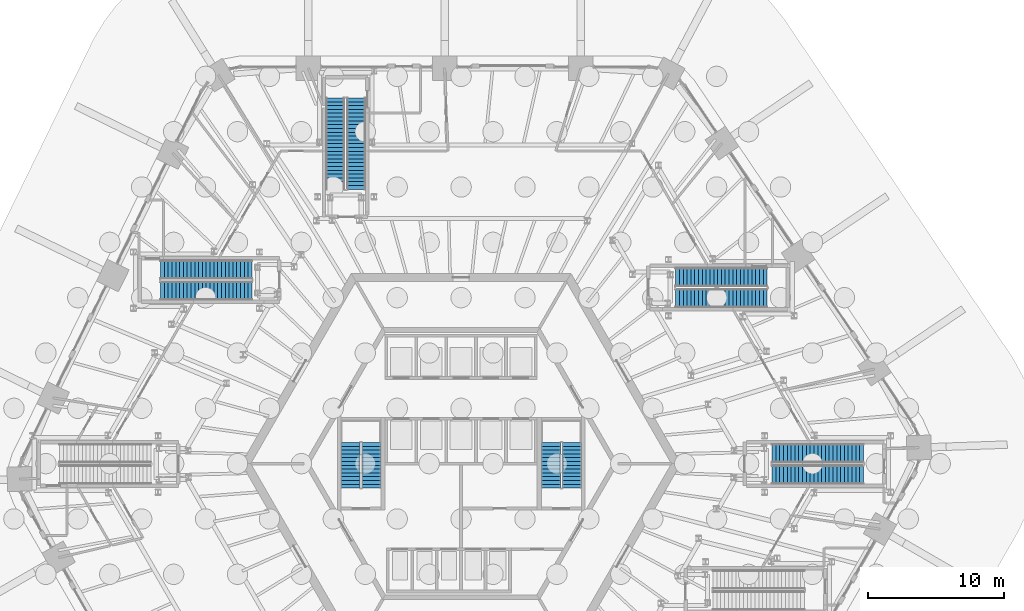
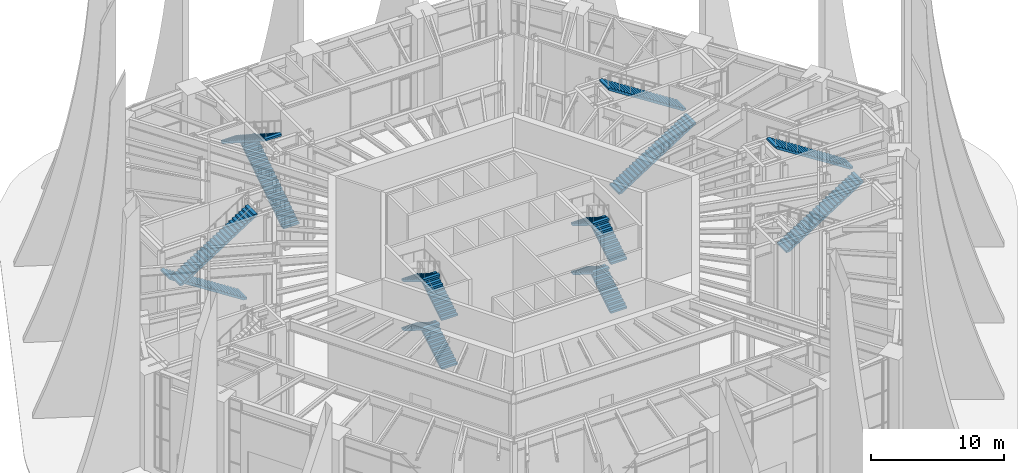
# One storey, part 31 of 43: 16 stair flights, 6 elements without a shape of their own.
"""IFC4 building model written with IfcOpenShell, lengths in metres."""

from ifc_helpers import new_model, si_unit, direction, frame, origin, place, context, subcontext, project, spatial, polyline, outline, extrude, material, type_object, element, aggregate, save


model = new_model("IFC4")

# Units and contexts
model_context = context("Model", 3, precision=1e-05, world=origin(), true_north=direction((0.0, 1.0)))
body_context = subcontext(model_context, "Body", "Model", "MODEL_VIEW")
ifc_project = project(units=[si_unit("LENGTHUNIT", "METRE"), si_unit("AREAUNIT", "SQUARE_METRE"), si_unit("VOLUMEUNIT", "CUBIC_METRE"), si_unit("PLANEANGLEUNIT", "RADIAN"), si_unit("MASSUNIT", "GRAM", prefix="KILO")], contexts=[model_context])

# Site, building, storey
site_placement = place(None, origin())
site = spatial("IfcSite", under=ifc_project, at=site_placement, CompositionType="ELEMENT")
building_placement = place(site_placement, origin())
building = spatial("IfcBuilding", under=site, at=building_placement, Name="Tarnside Tower", CompositionType="ELEMENT")
storey_placement = place(building_placement, origin())
storey = spatial("IfcBuildingStorey", under=building, at=storey_placement, Name="L00", CompositionType="ELEMENT", Elevation=0.0)

# Stair, stair flights
ifc_material = material(Name="Concrete C40/50", Category="concrete")
stair_type_1 = type_object("IfcStairType", Name="Exit stair 1400 clear", PredefinedType="HALF_TURN_STAIR", material=ifc_material)
stair_1_placement = place(storey_placement, origin())
stair_1 = element("IfcStair", 1, at=stair_1_placement, inside=storey, type_object=stair_type_1, Name="L00 Exit stair 1", PredefinedType="HALF_TURN_STAIR")
stair_flight_type_1 = type_object("IfcStairFlightType", Name="Exit stair flight 1400", PredefinedType="STRAIGHT", material=ifc_material)
stair_flight_1_placement = place(storey_placement, frame((8.14990234375, -1.800048828125, 0.0), z_axis=(0.0, 0.0, 1.0), x_axis=(0.0, 1.0, 0.0)))
stair_flight_1 = element("IfcStairFlight", 2, at=stair_flight_1_placement, type_object=stair_flight_type_1, Name="ST1 flight 1", NumberOfRisers=13, NumberOfTreads=12, PredefinedType="STRAIGHT", RiserHeight=0.173076923, TreadLength=0.28, context=body_context, shape_type="SweptSolid", body=[
    extrude(outline(polyline([(0.0, 0.0), (0.0, 0.173095703125), (0.280029296875, 0.173095703125), (0.280029296875, 0.34619140625), (0.56005859375, 0.34619140625), (0.56005859375, 0.519287109375), (0.840087890625, 0.519287109375), (0.840087890625, 0.6923828125), (1.1201171875, 0.6923828125), (1.1201171875, 0.865478515625), (1.39990234375, 0.865478515625), (1.39990234375, 1.03857421875), (1.679931640625, 1.03857421875), (1.679931640625, 1.21142578125), (1.9599609375, 1.21142578125), (1.9599609375, 1.384521484375), (2.239990234375, 1.384521484375), (2.239990234375, 1.5576171875), (2.52001953125, 1.5576171875), (2.52001953125, 1.730712890625), (2.800048828125, 1.730712890625), (2.800048828125, 1.90380859375), (3.080078125, 1.90380859375), (3.080078125, 2.076904296875), (3.360107421875, 2.076904296875), (3.360107421875, 2.25), (3.360107421875, 1.900634765625), (0.28515625, 0.0), (0.0, 0.0)])), frame((0.0, 0.699951171875, 0.0), z_axis=(0.0, -1.0, 0.0), x_axis=(1.0, 0.0, 0.0)), (0.0, 0.0, 1.0), 1.39990234375),
])
stair_flight_2_placement = place(storey_placement, frame((6.60009765625, 1.56005859375, 2.25), z_axis=(0.0, 0.0, 1.0), x_axis=(0.0, -1.0, 0.0)))
stair_flight_2 = element("IfcStairFlight", 3, at=stair_flight_2_placement, type_object=stair_flight_type_1, Name="ST1 flight 2", NumberOfRisers=13, NumberOfTreads=12, PredefinedType="STRAIGHT", RiserHeight=0.173076923, TreadLength=0.28, context=body_context, shape_type="SweptSolid", body=[
    extrude(outline(polyline([(0.0, 0.0), (0.0, 0.173095703125), (0.280029296875, 0.173095703125), (0.280029296875, 0.34619140625), (0.56005859375, 0.34619140625), (0.56005859375, 0.519287109375), (0.840087890625, 0.519287109375), (0.840087890625, 0.6923828125), (1.1201171875, 0.6923828125), (1.1201171875, 0.865478515625), (1.39990234375, 0.865478515625), (1.39990234375, 1.03857421875), (1.679931640625, 1.03857421875), (1.679931640625, 1.21142578125), (1.9599609375, 1.21142578125), (1.9599609375, 1.384521484375), (2.239990234375, 1.384521484375), (2.239990234375, 1.5576171875), (2.52001953125, 1.5576171875), (2.52001953125, 1.730712890625), (2.800048828125, 1.730712890625), (2.800048828125, 1.90380859375), (3.080078125, 1.90380859375), (3.080078125, 2.076904296875), (3.360107421875, 2.076904296875), (3.360107421875, 2.25), (3.360107421875, 1.900634765625), (0.28515625, 0.0), (0.0, 0.0)])), frame((0.0, 0.699951171875, 0.0), z_axis=(0.0, -1.0, 0.0), x_axis=(1.0, 0.0, 0.0)), (0.0, 0.0, 1.0), 1.39990234375),
])
stair_flight_3_placement = place(storey_placement, frame((8.14990234375, -1.800048828125, 4.5), z_axis=(0.0, 0.0, 1.0), x_axis=(0.0, 1.0, 0.0)))
stair_flight_3 = element("IfcStairFlight", 4, at=stair_flight_3_placement, type_object=stair_flight_type_1, Name="ST1 flight 3", NumberOfRisers=13, NumberOfTreads=12, PredefinedType="STRAIGHT", RiserHeight=0.173076923, TreadLength=0.28, context=body_context, shape_type="SweptSolid", body=[
    extrude(outline(polyline([(0.0, 0.0), (0.0, 0.173095703125), (0.280029296875, 0.173095703125), (0.280029296875, 0.34619140625), (0.56005859375, 0.34619140625), (0.56005859375, 0.519287109375), (0.840087890625, 0.519287109375), (0.840087890625, 0.6923828125), (1.1201171875, 0.6923828125), (1.1201171875, 0.865478515625), (1.39990234375, 0.865478515625), (1.39990234375, 1.03857421875), (1.679931640625, 1.03857421875), (1.679931640625, 1.21142578125), (1.9599609375, 1.21142578125), (1.9599609375, 1.384521484375), (2.239990234375, 1.384521484375), (2.239990234375, 1.5576171875), (2.52001953125, 1.5576171875), (2.52001953125, 1.730712890625), (2.800048828125, 1.730712890625), (2.800048828125, 1.90380859375), (3.080078125, 1.90380859375), (3.080078125, 2.076904296875), (3.360107421875, 2.076904296875), (3.360107421875, 2.25), (3.360107421875, 1.900634765625), (0.28515625, 0.0), (0.0, 0.0)])), frame((0.0, 0.699951171875, 0.0), z_axis=(0.0, -1.0, 0.0), x_axis=(1.0, 0.0, 0.0)), (0.0, 0.0, 1.0), 1.39990234375),
])
stair_flight_4_placement = place(storey_placement, frame((6.60009765625, 1.56005859375, 6.75), z_axis=(0.0, 0.0, 1.0), x_axis=(0.0, -1.0, 0.0)))
stair_flight_4 = element("IfcStairFlight", 5, at=stair_flight_4_placement, type_object=stair_flight_type_1, Name="ST1 flight 4", NumberOfRisers=13, NumberOfTreads=12, PredefinedType="STRAIGHT", RiserHeight=0.173076923, TreadLength=0.28, context=body_context, shape_type="SweptSolid", body=[
    extrude(outline(polyline([(0.0, 0.0), (0.0, 0.173095703125), (0.280029296875, 0.173095703125), (0.280029296875, 0.34619140625), (0.56005859375, 0.34619140625), (0.56005859375, 0.519287109375), (0.840087890625, 0.519287109375), (0.840087890625, 0.6923828125), (1.1201171875, 0.6923828125), (1.1201171875, 0.865478515625), (1.39990234375, 0.865478515625), (1.39990234375, 1.03857421875), (1.679931640625, 1.03857421875), (1.679931640625, 1.21142578125), (1.9599609375, 1.21142578125), (1.9599609375, 1.384521484375), (2.239990234375, 1.384521484375), (2.239990234375, 1.5576171875), (2.52001953125, 1.5576171875), (2.52001953125, 1.730712890625), (2.800048828125, 1.730712890625), (2.800048828125, 1.90380859375), (3.080078125, 1.90380859375), (3.080078125, 2.076904296875), (3.360107421875, 2.076904296875), (3.360107421875, 2.25), (3.360107421875, 1.900634765625), (0.28515625, 0.0), (0.0, 0.0)])), frame((0.0, 0.699951171875, 0.0), z_axis=(0.0, -1.0, 0.0), x_axis=(1.0, 0.0, 0.0)), (0.0, 0.0, 1.0), 1.39990234375),
])
aggregate(stair_1, [stair_flight_1, stair_flight_2, stair_flight_3, stair_flight_4])

stair_2_placement = place(storey_placement, origin())
stair_2 = element("IfcStair", 6, at=stair_2_placement, inside=storey, type_object=stair_type_1, Name="L00 Exit stair 2", PredefinedType="HALF_TURN_STAIR")
stair_flight_5_placement = place(storey_placement, frame((-6.60009765625, -1.800048828125, 0.0), z_axis=(0.0, 0.0, 1.0), x_axis=(0.0, 1.0, 0.0)))
stair_flight_5 = element("IfcStairFlight", 7, at=stair_flight_5_placement, type_object=stair_flight_type_1, Name="ST2 flight 1", NumberOfRisers=13, NumberOfTreads=12, PredefinedType="STRAIGHT", RiserHeight=0.173076923, TreadLength=0.28, context=body_context, shape_type="SweptSolid", body=[
    extrude(outline(polyline([(0.0, 0.0), (0.0, 0.173095703125), (0.280029296875, 0.173095703125), (0.280029296875, 0.34619140625), (0.56005859375, 0.34619140625), (0.56005859375, 0.519287109375), (0.840087890625, 0.519287109375), (0.840087890625, 0.6923828125), (1.1201171875, 0.6923828125), (1.1201171875, 0.865478515625), (1.39990234375, 0.865478515625), (1.39990234375, 1.03857421875), (1.679931640625, 1.03857421875), (1.679931640625, 1.21142578125), (1.9599609375, 1.21142578125), (1.9599609375, 1.384521484375), (2.239990234375, 1.384521484375), (2.239990234375, 1.5576171875), (2.52001953125, 1.5576171875), (2.52001953125, 1.730712890625), (2.800048828125, 1.730712890625), (2.800048828125, 1.90380859375), (3.080078125, 1.90380859375), (3.080078125, 2.076904296875), (3.360107421875, 2.076904296875), (3.360107421875, 2.25), (3.360107421875, 1.900634765625), (0.28515625, 0.0), (0.0, 0.0)])), frame((0.0, 0.699951171875, 0.0), z_axis=(0.0, -1.0, 0.0), x_axis=(1.0, 0.0, 0.0)), (0.0, 0.0, 1.0), 1.39990234375),
])
stair_flight_6_placement = place(storey_placement, frame((-8.14990234375, 1.56005859375, 2.25), z_axis=(0.0, 0.0, 1.0), x_axis=(0.0, -1.0, 0.0)))
stair_flight_6 = element("IfcStairFlight", 8, at=stair_flight_6_placement, type_object=stair_flight_type_1, Name="ST2 flight 2", NumberOfRisers=13, NumberOfTreads=12, PredefinedType="STRAIGHT", RiserHeight=0.173076923, TreadLength=0.28, context=body_context, shape_type="SweptSolid", body=[
    extrude(outline(polyline([(0.0, 0.0), (0.0, 0.173095703125), (0.280029296875, 0.173095703125), (0.280029296875, 0.34619140625), (0.56005859375, 0.34619140625), (0.56005859375, 0.519287109375), (0.840087890625, 0.519287109375), (0.840087890625, 0.6923828125), (1.1201171875, 0.6923828125), (1.1201171875, 0.865478515625), (1.39990234375, 0.865478515625), (1.39990234375, 1.03857421875), (1.679931640625, 1.03857421875), (1.679931640625, 1.21142578125), (1.9599609375, 1.21142578125), (1.9599609375, 1.384521484375), (2.239990234375, 1.384521484375), (2.239990234375, 1.5576171875), (2.52001953125, 1.5576171875), (2.52001953125, 1.730712890625), (2.800048828125, 1.730712890625), (2.800048828125, 1.90380859375), (3.080078125, 1.90380859375), (3.080078125, 2.076904296875), (3.360107421875, 2.076904296875), (3.360107421875, 2.25), (3.360107421875, 1.900634765625), (0.28515625, 0.0), (0.0, 0.0)])), frame((0.0, 0.699951171875, 0.0), z_axis=(0.0, -1.0, 0.0), x_axis=(1.0, 0.0, 0.0)), (0.0, 0.0, 1.0), 1.39990234375),
])
stair_flight_7_placement = place(storey_placement, frame((-6.60009765625, -1.800048828125, 4.5), z_axis=(0.0, 0.0, 1.0), x_axis=(0.0, 1.0, 0.0)))
stair_flight_7 = element("IfcStairFlight", 9, at=stair_flight_7_placement, type_object=stair_flight_type_1, Name="ST2 flight 3", NumberOfRisers=13, NumberOfTreads=12, PredefinedType="STRAIGHT", RiserHeight=0.173076923, TreadLength=0.28, context=body_context, shape_type="SweptSolid", body=[
    extrude(outline(polyline([(0.0, 0.0), (0.0, 0.173095703125), (0.280029296875, 0.173095703125), (0.280029296875, 0.34619140625), (0.56005859375, 0.34619140625), (0.56005859375, 0.519287109375), (0.840087890625, 0.519287109375), (0.840087890625, 0.6923828125), (1.1201171875, 0.6923828125), (1.1201171875, 0.865478515625), (1.39990234375, 0.865478515625), (1.39990234375, 1.03857421875), (1.679931640625, 1.03857421875), (1.679931640625, 1.21142578125), (1.9599609375, 1.21142578125), (1.9599609375, 1.384521484375), (2.239990234375, 1.384521484375), (2.239990234375, 1.5576171875), (2.52001953125, 1.5576171875), (2.52001953125, 1.730712890625), (2.800048828125, 1.730712890625), (2.800048828125, 1.90380859375), (3.080078125, 1.90380859375), (3.080078125, 2.076904296875), (3.360107421875, 2.076904296875), (3.360107421875, 2.25), (3.360107421875, 1.900634765625), (0.28515625, 0.0), (0.0, 0.0)])), frame((0.0, 0.699951171875, 0.0), z_axis=(0.0, -1.0, 0.0), x_axis=(1.0, 0.0, 0.0)), (0.0, 0.0, 1.0), 1.39990234375),
])
stair_flight_8_placement = place(storey_placement, frame((-8.14990234375, 1.56005859375, 6.75), z_axis=(0.0, 0.0, 1.0), x_axis=(0.0, -1.0, 0.0)))
stair_flight_8 = element("IfcStairFlight", 10, at=stair_flight_8_placement, type_object=stair_flight_type_1, Name="ST2 flight 4", NumberOfRisers=13, NumberOfTreads=12, PredefinedType="STRAIGHT", RiserHeight=0.173076923, TreadLength=0.28, context=body_context, shape_type="SweptSolid", body=[
    extrude(outline(polyline([(0.0, 0.0), (0.0, 0.173095703125), (0.280029296875, 0.173095703125), (0.280029296875, 0.34619140625), (0.56005859375, 0.34619140625), (0.56005859375, 0.519287109375), (0.840087890625, 0.519287109375), (0.840087890625, 0.6923828125), (1.1201171875, 0.6923828125), (1.1201171875, 0.865478515625), (1.39990234375, 0.865478515625), (1.39990234375, 1.03857421875), (1.679931640625, 1.03857421875), (1.679931640625, 1.21142578125), (1.9599609375, 1.21142578125), (1.9599609375, 1.384521484375), (2.239990234375, 1.384521484375), (2.239990234375, 1.5576171875), (2.52001953125, 1.5576171875), (2.52001953125, 1.730712890625), (2.800048828125, 1.730712890625), (2.800048828125, 1.90380859375), (3.080078125, 1.90380859375), (3.080078125, 2.076904296875), (3.360107421875, 2.076904296875), (3.360107421875, 2.25), (3.360107421875, 1.900634765625), (0.28515625, 0.0), (0.0, 0.0)])), frame((0.0, 0.699951171875, 0.0), z_axis=(0.0, -1.0, 0.0), x_axis=(1.0, 0.0, 0.0)), (0.0, 0.0, 1.0), 1.39990234375),
])
aggregate(stair_2, [stair_flight_5, stair_flight_6, stair_flight_7, stair_flight_8])

stair_type_2 = type_object("IfcStairType", Name="Podium exit stair 1400 clear", PredefinedType="HALF_TURN_STAIR", material=ifc_material)
stair_3_placement = place(storey_placement, origin())
stair_3 = element("IfcStair", 11, at=stair_3_placement, inside=storey, type_object=stair_type_2, Name="L00 Podium exit stair 1", PredefinedType="HALF_TURN_STAIR")
stair_flight_type_2 = type_object("IfcStairFlightType", Name="Podium exit stair flight 1400", PredefinedType="STRAIGHT", material=ifc_material)
stair_flight_9_placement = place(storey_placement, frame((-7.71484375, 20.179931640625, 0.0), z_axis=(0.0, 0.0, 1.0), x_axis=(0.0, 1.0, 0.0)))
stair_flight_9 = element("IfcStairFlight", 12, at=stair_flight_9_placement, type_object=stair_flight_type_2, Name="PS1 flight 1", NumberOfRisers=25, NumberOfTreads=24, PredefinedType="STRAIGHT", RiserHeight=0.18, TreadLength=0.28, context=body_context, shape_type="SweptSolid", body=[
    extrude(outline(polyline([(0.0, 0.0), (0.0, 0.179931640625), (0.280029296875, 0.179931640625), (0.280029296875, 0.360107421875), (0.56005859375, 0.360107421875), (0.56005859375, 0.5400390625), (0.840087890625, 0.5400390625), (0.840087890625, 0.719970703125), (1.1201171875, 0.719970703125), (1.1201171875, 0.89990234375), (1.39990234375, 0.89990234375), (1.39990234375, 1.080078125), (1.679931640625, 1.080078125), (1.679931640625, 1.260009765625), (1.9599609375, 1.260009765625), (1.9599609375, 1.43994140625), (2.239990234375, 1.43994140625), (2.239990234375, 1.6201171875), (2.52001953125, 1.6201171875), (2.52001953125, 1.800048828125), (2.800048828125, 1.800048828125), (2.800048828125, 1.97998046875), (3.080078125, 1.97998046875), (3.080078125, 2.159912109375), (3.360107421875, 2.159912109375), (3.360107421875, 2.340087890625), (3.639892578125, 2.340087890625), (3.639892578125, 2.52001953125), (3.919921875, 2.52001953125), (3.919921875, 2.699951171875), (4.199951171875, 2.699951171875), (4.199951171875, 2.8798828125), (4.47998046875, 2.8798828125), (4.47998046875, 3.06005859375), (4.760009765625, 3.06005859375), (4.760009765625, 3.239990234375), (5.0400390625, 3.239990234375), (5.0400390625, 3.419921875), (5.320068359375, 3.419921875), (5.320068359375, 3.60009765625), (5.60009765625, 3.60009765625), (5.60009765625, 3.780029296875), (5.8798828125, 3.780029296875), (5.8798828125, 3.9599609375), (6.159912109375, 3.9599609375), (6.159912109375, 4.139892578125), (6.43994140625, 4.139892578125), (6.43994140625, 4.320068359375), (6.719970703125, 4.320068359375), (6.719970703125, 4.5), (6.719970703125, 4.141845703125), (0.277099609375, 0.0), (0.0, 0.0)])), frame((0.0, 0.699951171875, 0.0), z_axis=(0.0, -1.0, 0.0), x_axis=(1.0, 0.0, 0.0)), (0.0, 0.0, 1.0), 1.39990234375),
])
stair_flight_10_placement = place(storey_placement, frame((-9.2646484375, 26.89990234375, 4.5), z_axis=(0.0, 0.0, 1.0), x_axis=(0.0, -1.0, 0.0)))
stair_flight_10 = element("IfcStairFlight", 13, at=stair_flight_10_placement, type_object=stair_flight_type_2, Name="PS1 flight 2", NumberOfRisers=25, NumberOfTreads=24, PredefinedType="STRAIGHT", RiserHeight=0.18, TreadLength=0.28, context=body_context, shape_type="SweptSolid", body=[
    extrude(outline(polyline([(0.0, 0.0), (0.0, 0.179931640625), (0.280029296875, 0.179931640625), (0.280029296875, 0.360107421875), (0.56005859375, 0.360107421875), (0.56005859375, 0.5400390625), (0.840087890625, 0.5400390625), (0.840087890625, 0.719970703125), (1.1201171875, 0.719970703125), (1.1201171875, 0.89990234375), (1.39990234375, 0.89990234375), (1.39990234375, 1.080078125), (1.679931640625, 1.080078125), (1.679931640625, 1.260009765625), (1.9599609375, 1.260009765625), (1.9599609375, 1.43994140625), (2.239990234375, 1.43994140625), (2.239990234375, 1.6201171875), (2.52001953125, 1.6201171875), (2.52001953125, 1.800048828125), (2.800048828125, 1.800048828125), (2.800048828125, 1.97998046875), (3.080078125, 1.97998046875), (3.080078125, 2.159912109375), (3.360107421875, 2.159912109375), (3.360107421875, 2.340087890625), (3.639892578125, 2.340087890625), (3.639892578125, 2.52001953125), (3.919921875, 2.52001953125), (3.919921875, 2.699951171875), (4.199951171875, 2.699951171875), (4.199951171875, 2.8798828125), (4.47998046875, 2.8798828125), (4.47998046875, 3.06005859375), (4.760009765625, 3.06005859375), (4.760009765625, 3.239990234375), (5.0400390625, 3.239990234375), (5.0400390625, 3.419921875), (5.320068359375, 3.419921875), (5.320068359375, 3.60009765625), (5.60009765625, 3.60009765625), (5.60009765625, 3.780029296875), (5.8798828125, 3.780029296875), (5.8798828125, 3.9599609375), (6.159912109375, 3.9599609375), (6.159912109375, 4.139892578125), (6.43994140625, 4.139892578125), (6.43994140625, 4.320068359375), (6.719970703125, 4.320068359375), (6.719970703125, 4.5), (6.719970703125, 4.141845703125), (0.277099609375, 0.0), (0.0, 0.0)])), frame((0.0, 0.699951171875, 0.0), z_axis=(0.0, -1.0, 0.0), x_axis=(1.0, 0.0, 0.0)), (0.0, 0.0, 1.0), 1.39990234375),
])
aggregate(stair_3, [stair_flight_9, stair_flight_10])

stair_4_placement = place(storey_placement, origin())
stair_4 = element("IfcStair", 14, at=stair_4_placement, inside=storey, type_object=stair_type_2, Name="L00 Podium exit stair 3", PredefinedType="HALF_TURN_STAIR")
stair_flight_11_placement = place(storey_placement, frame((22.8798828125, -0.800048828125, 0.0), z_axis=(0.0, 0.0, 1.0), x_axis=(1.0, 0.0, 0.0)))
stair_flight_11 = element("IfcStairFlight", 15, at=stair_flight_11_placement, type_object=stair_flight_type_2, Name="PS3 flight 1", NumberOfRisers=25, NumberOfTreads=24, PredefinedType="STRAIGHT", RiserHeight=0.18, TreadLength=0.28, context=body_context, shape_type="SweptSolid", body=[
    extrude(outline(polyline([(0.0, 0.0), (0.0, 0.179931640625), (0.280029296875, 0.179931640625), (0.280029296875, 0.360107421875), (0.56005859375, 0.360107421875), (0.56005859375, 0.5400390625), (0.840087890625, 0.5400390625), (0.840087890625, 0.719970703125), (1.1201171875, 0.719970703125), (1.1201171875, 0.89990234375), (1.39990234375, 0.89990234375), (1.39990234375, 1.080078125), (1.679931640625, 1.080078125), (1.679931640625, 1.260009765625), (1.9599609375, 1.260009765625), (1.9599609375, 1.43994140625), (2.239990234375, 1.43994140625), (2.239990234375, 1.6201171875), (2.52001953125, 1.6201171875), (2.52001953125, 1.800048828125), (2.800048828125, 1.800048828125), (2.800048828125, 1.97998046875), (3.080078125, 1.97998046875), (3.080078125, 2.159912109375), (3.360107421875, 2.159912109375), (3.360107421875, 2.340087890625), (3.639892578125, 2.340087890625), (3.639892578125, 2.52001953125), (3.919921875, 2.52001953125), (3.919921875, 2.699951171875), (4.199951171875, 2.699951171875), (4.199951171875, 2.8798828125), (4.47998046875, 2.8798828125), (4.47998046875, 3.06005859375), (4.760009765625, 3.06005859375), (4.760009765625, 3.239990234375), (5.0400390625, 3.239990234375), (5.0400390625, 3.419921875), (5.320068359375, 3.419921875), (5.320068359375, 3.60009765625), (5.60009765625, 3.60009765625), (5.60009765625, 3.780029296875), (5.8798828125, 3.780029296875), (5.8798828125, 3.9599609375), (6.159912109375, 3.9599609375), (6.159912109375, 4.139892578125), (6.43994140625, 4.139892578125), (6.43994140625, 4.320068359375), (6.719970703125, 4.320068359375), (6.719970703125, 4.5), (6.719970703125, 4.141845703125), (0.277099609375, 0.0), (0.0, 0.0)])), frame((0.0, 0.699951171875, 0.0), z_axis=(0.0, -1.0, 0.0), x_axis=(1.0, 0.0, 0.0)), (0.0, 0.0, 1.0), 1.39990234375),
])
stair_flight_12_placement = place(storey_placement, frame((29.60009765625, 0.75, 4.5), z_axis=(0.0, 0.0, 1.0), x_axis=(-1.0, 0.0, 0.0)))
stair_flight_12 = element("IfcStairFlight", 16, at=stair_flight_12_placement, type_object=stair_flight_type_2, Name="PS3 flight 2", NumberOfRisers=25, NumberOfTreads=24, PredefinedType="STRAIGHT", RiserHeight=0.18, TreadLength=0.28, context=body_context, shape_type="SweptSolid", body=[
    extrude(outline(polyline([(0.0, 0.0), (0.0, 0.179931640625), (0.280029296875, 0.179931640625), (0.280029296875, 0.360107421875), (0.56005859375, 0.360107421875), (0.56005859375, 0.5400390625), (0.840087890625, 0.5400390625), (0.840087890625, 0.719970703125), (1.1201171875, 0.719970703125), (1.1201171875, 0.89990234375), (1.39990234375, 0.89990234375), (1.39990234375, 1.080078125), (1.679931640625, 1.080078125), (1.679931640625, 1.260009765625), (1.9599609375, 1.260009765625), (1.9599609375, 1.43994140625), (2.239990234375, 1.43994140625), (2.239990234375, 1.6201171875), (2.52001953125, 1.6201171875), (2.52001953125, 1.800048828125), (2.800048828125, 1.800048828125), (2.800048828125, 1.97998046875), (3.080078125, 1.97998046875), (3.080078125, 2.159912109375), (3.360107421875, 2.159912109375), (3.360107421875, 2.340087890625), (3.639892578125, 2.340087890625), (3.639892578125, 2.52001953125), (3.919921875, 2.52001953125), (3.919921875, 2.699951171875), (4.199951171875, 2.699951171875), (4.199951171875, 2.8798828125), (4.47998046875, 2.8798828125), (4.47998046875, 3.06005859375), (4.760009765625, 3.06005859375), (4.760009765625, 3.239990234375), (5.0400390625, 3.239990234375), (5.0400390625, 3.419921875), (5.320068359375, 3.419921875), (5.320068359375, 3.60009765625), (5.60009765625, 3.60009765625), (5.60009765625, 3.780029296875), (5.8798828125, 3.780029296875), (5.8798828125, 3.9599609375), (6.159912109375, 3.9599609375), (6.159912109375, 4.139892578125), (6.43994140625, 4.139892578125), (6.43994140625, 4.320068359375), (6.719970703125, 4.320068359375), (6.719970703125, 4.5), (6.719970703125, 4.141845703125), (0.277099609375, 0.0), (0.0, 0.0)])), frame((0.0, 0.699951171875, 0.0), z_axis=(0.0, -1.0, 0.0), x_axis=(1.0, 0.0, 0.0)), (0.0, 0.0, 1.0), 1.39990234375),
])
aggregate(stair_4, [stair_flight_11, stair_flight_12])

stair_5_placement = place(storey_placement, origin())
stair_5 = element("IfcStair", 17, at=stair_5_placement, inside=storey, type_object=stair_type_2, Name="L00 Podium exit stair 4", PredefinedType="HALF_TURN_STAIR")
stair_flight_13_placement = place(storey_placement, frame((15.7900390625, 12.175048828125, 0.0), z_axis=(0.0, 0.0, 1.0), x_axis=(1.0, 0.0, 0.0)))
stair_flight_13 = element("IfcStairFlight", 18, at=stair_flight_13_placement, type_object=stair_flight_type_2, Name="PS4 flight 1", NumberOfRisers=25, NumberOfTreads=24, PredefinedType="STRAIGHT", RiserHeight=0.18, TreadLength=0.28, context=body_context, shape_type="SweptSolid", body=[
    extrude(outline(polyline([(0.0, 0.0), (0.0, 0.179931640625), (0.280029296875, 0.179931640625), (0.280029296875, 0.360107421875), (0.56005859375, 0.360107421875), (0.56005859375, 0.5400390625), (0.840087890625, 0.5400390625), (0.840087890625, 0.719970703125), (1.1201171875, 0.719970703125), (1.1201171875, 0.89990234375), (1.39990234375, 0.89990234375), (1.39990234375, 1.080078125), (1.679931640625, 1.080078125), (1.679931640625, 1.260009765625), (1.9599609375, 1.260009765625), (1.9599609375, 1.43994140625), (2.239990234375, 1.43994140625), (2.239990234375, 1.6201171875), (2.52001953125, 1.6201171875), (2.52001953125, 1.800048828125), (2.800048828125, 1.800048828125), (2.800048828125, 1.97998046875), (3.080078125, 1.97998046875), (3.080078125, 2.159912109375), (3.360107421875, 2.159912109375), (3.360107421875, 2.340087890625), (3.639892578125, 2.340087890625), (3.639892578125, 2.52001953125), (3.919921875, 2.52001953125), (3.919921875, 2.699951171875), (4.199951171875, 2.699951171875), (4.199951171875, 2.8798828125), (4.47998046875, 2.8798828125), (4.47998046875, 3.06005859375), (4.760009765625, 3.06005859375), (4.760009765625, 3.239990234375), (5.0400390625, 3.239990234375), (5.0400390625, 3.419921875), (5.320068359375, 3.419921875), (5.320068359375, 3.60009765625), (5.60009765625, 3.60009765625), (5.60009765625, 3.780029296875), (5.8798828125, 3.780029296875), (5.8798828125, 3.9599609375), (6.159912109375, 3.9599609375), (6.159912109375, 4.139892578125), (6.43994140625, 4.139892578125), (6.43994140625, 4.320068359375), (6.719970703125, 4.320068359375), (6.719970703125, 4.5), (6.719970703125, 4.141845703125), (0.277099609375, 0.0), (0.0, 0.0)])), frame((0.0, 0.699951171875, 0.0), z_axis=(0.0, -1.0, 0.0), x_axis=(1.0, 0.0, 0.0)), (0.0, 0.0, 1.0), 1.39990234375),
])
stair_flight_14_placement = place(storey_placement, frame((22.510009765625, 13.72509765625, 4.5), z_axis=(0.0, 0.0, 1.0), x_axis=(-1.0, 0.0, 0.0)))
stair_flight_14 = element("IfcStairFlight", 19, at=stair_flight_14_placement, type_object=stair_flight_type_2, Name="PS4 flight 2", NumberOfRisers=25, NumberOfTreads=24, PredefinedType="STRAIGHT", RiserHeight=0.18, TreadLength=0.28, context=body_context, shape_type="SweptSolid", body=[
    extrude(outline(polyline([(0.0, 0.0), (0.0, 0.179931640625), (0.280029296875, 0.179931640625), (0.280029296875, 0.360107421875), (0.56005859375, 0.360107421875), (0.56005859375, 0.5400390625), (0.840087890625, 0.5400390625), (0.840087890625, 0.719970703125), (1.1201171875, 0.719970703125), (1.1201171875, 0.89990234375), (1.39990234375, 0.89990234375), (1.39990234375, 1.080078125), (1.679931640625, 1.080078125), (1.679931640625, 1.260009765625), (1.9599609375, 1.260009765625), (1.9599609375, 1.43994140625), (2.239990234375, 1.43994140625), (2.239990234375, 1.6201171875), (2.52001953125, 1.6201171875), (2.52001953125, 1.800048828125), (2.800048828125, 1.800048828125), (2.800048828125, 1.97998046875), (3.080078125, 1.97998046875), (3.080078125, 2.159912109375), (3.360107421875, 2.159912109375), (3.360107421875, 2.340087890625), (3.639892578125, 2.340087890625), (3.639892578125, 2.52001953125), (3.919921875, 2.52001953125), (3.919921875, 2.699951171875), (4.199951171875, 2.699951171875), (4.199951171875, 2.8798828125), (4.47998046875, 2.8798828125), (4.47998046875, 3.06005859375), (4.760009765625, 3.06005859375), (4.760009765625, 3.239990234375), (5.0400390625, 3.239990234375), (5.0400390625, 3.419921875), (5.320068359375, 3.419921875), (5.320068359375, 3.60009765625), (5.60009765625, 3.60009765625), (5.60009765625, 3.780029296875), (5.8798828125, 3.780029296875), (5.8798828125, 3.9599609375), (6.159912109375, 3.9599609375), (6.159912109375, 4.139892578125), (6.43994140625, 4.139892578125), (6.43994140625, 4.320068359375), (6.719970703125, 4.320068359375), (6.719970703125, 4.5), (6.719970703125, 4.141845703125), (0.277099609375, 0.0), (0.0, 0.0)])), frame((0.0, 0.699951171875, 0.0), z_axis=(0.0, -1.0, 0.0), x_axis=(1.0, 0.0, 0.0)), (0.0, 0.0, 1.0), 1.39990234375),
])
aggregate(stair_5, [stair_flight_13, stair_flight_14])

stair_6_placement = place(storey_placement, origin())
stair_6 = element("IfcStair", 20, at=stair_6_placement, inside=storey, type_object=stair_type_2, Name="L00 Podium exit stair 6", PredefinedType="HALF_TURN_STAIR")
stair_flight_15_placement = place(storey_placement, frame((-15.389892578125, 14.27490234375, 0.0), z_axis=(0.0, 0.0, 1.0), x_axis=(-1.0, 0.0, 0.0)))
stair_flight_15 = element("IfcStairFlight", 21, at=stair_flight_15_placement, type_object=stair_flight_type_2, Name="PS6 flight 1", NumberOfRisers=25, NumberOfTreads=24, PredefinedType="STRAIGHT", RiserHeight=0.18, TreadLength=0.28, context=body_context, shape_type="SweptSolid", body=[
    extrude(outline(polyline([(0.0, 0.0), (0.0, 0.179931640625), (0.280029296875, 0.179931640625), (0.280029296875, 0.360107421875), (0.56005859375, 0.360107421875), (0.56005859375, 0.5400390625), (0.840087890625, 0.5400390625), (0.840087890625, 0.719970703125), (1.1201171875, 0.719970703125), (1.1201171875, 0.89990234375), (1.39990234375, 0.89990234375), (1.39990234375, 1.080078125), (1.679931640625, 1.080078125), (1.679931640625, 1.260009765625), (1.9599609375, 1.260009765625), (1.9599609375, 1.43994140625), (2.239990234375, 1.43994140625), (2.239990234375, 1.6201171875), (2.52001953125, 1.6201171875), (2.52001953125, 1.800048828125), (2.800048828125, 1.800048828125), (2.800048828125, 1.97998046875), (3.080078125, 1.97998046875), (3.080078125, 2.159912109375), (3.360107421875, 2.159912109375), (3.360107421875, 2.340087890625), (3.639892578125, 2.340087890625), (3.639892578125, 2.52001953125), (3.919921875, 2.52001953125), (3.919921875, 2.699951171875), (4.199951171875, 2.699951171875), (4.199951171875, 2.8798828125), (4.47998046875, 2.8798828125), (4.47998046875, 3.06005859375), (4.760009765625, 3.06005859375), (4.760009765625, 3.239990234375), (5.0400390625, 3.239990234375), (5.0400390625, 3.419921875), (5.320068359375, 3.419921875), (5.320068359375, 3.60009765625), (5.60009765625, 3.60009765625), (5.60009765625, 3.780029296875), (5.8798828125, 3.780029296875), (5.8798828125, 3.9599609375), (6.159912109375, 3.9599609375), (6.159912109375, 4.139892578125), (6.43994140625, 4.139892578125), (6.43994140625, 4.320068359375), (6.719970703125, 4.320068359375), (6.719970703125, 4.5), (6.719970703125, 4.141845703125), (0.277099609375, 0.0), (0.0, 0.0)])), frame((0.0, 0.699951171875, 0.0), z_axis=(0.0, -1.0, 0.0), x_axis=(1.0, 0.0, 0.0)), (0.0, 0.0, 1.0), 1.39990234375),
])
stair_flight_16_placement = place(storey_placement, frame((-22.110107421875, 12.72509765625, 4.5), z_axis=(0.0, 0.0, 1.0), x_axis=(1.0, 0.0, 0.0)))
stair_flight_16 = element("IfcStairFlight", 22, at=stair_flight_16_placement, type_object=stair_flight_type_2, Name="PS6 flight 2", NumberOfRisers=25, NumberOfTreads=24, PredefinedType="STRAIGHT", RiserHeight=0.18, TreadLength=0.28, context=body_context, shape_type="SweptSolid", body=[
    extrude(outline(polyline([(0.0, 0.0), (0.0, 0.179931640625), (0.280029296875, 0.179931640625), (0.280029296875, 0.360107421875), (0.56005859375, 0.360107421875), (0.56005859375, 0.5400390625), (0.840087890625, 0.5400390625), (0.840087890625, 0.719970703125), (1.1201171875, 0.719970703125), (1.1201171875, 0.89990234375), (1.39990234375, 0.89990234375), (1.39990234375, 1.080078125), (1.679931640625, 1.080078125), (1.679931640625, 1.260009765625), (1.9599609375, 1.260009765625), (1.9599609375, 1.43994140625), (2.239990234375, 1.43994140625), (2.239990234375, 1.6201171875), (2.52001953125, 1.6201171875), (2.52001953125, 1.800048828125), (2.800048828125, 1.800048828125), (2.800048828125, 1.97998046875), (3.080078125, 1.97998046875), (3.080078125, 2.159912109375), (3.360107421875, 2.159912109375), (3.360107421875, 2.340087890625), (3.639892578125, 2.340087890625), (3.639892578125, 2.52001953125), (3.919921875, 2.52001953125), (3.919921875, 2.699951171875), (4.199951171875, 2.699951171875), (4.199951171875, 2.8798828125), (4.47998046875, 2.8798828125), (4.47998046875, 3.06005859375), (4.760009765625, 3.06005859375), (4.760009765625, 3.239990234375), (5.0400390625, 3.239990234375), (5.0400390625, 3.419921875), (5.320068359375, 3.419921875), (5.320068359375, 3.60009765625), (5.60009765625, 3.60009765625), (5.60009765625, 3.780029296875), (5.8798828125, 3.780029296875), (5.8798828125, 3.9599609375), (6.159912109375, 3.9599609375), (6.159912109375, 4.139892578125), (6.43994140625, 4.139892578125), (6.43994140625, 4.320068359375), (6.719970703125, 4.320068359375), (6.719970703125, 4.5), (6.719970703125, 4.141845703125), (0.277099609375, 0.0), (0.0, 0.0)])), frame((0.0, 0.699951171875, 0.0), z_axis=(0.0, -1.0, 0.0), x_axis=(1.0, 0.0, 0.0)), (0.0, 0.0, 1.0), 1.39990234375),
])
aggregate(stair_6, [stair_flight_15, stair_flight_16])

save(model, "model.ifc")
